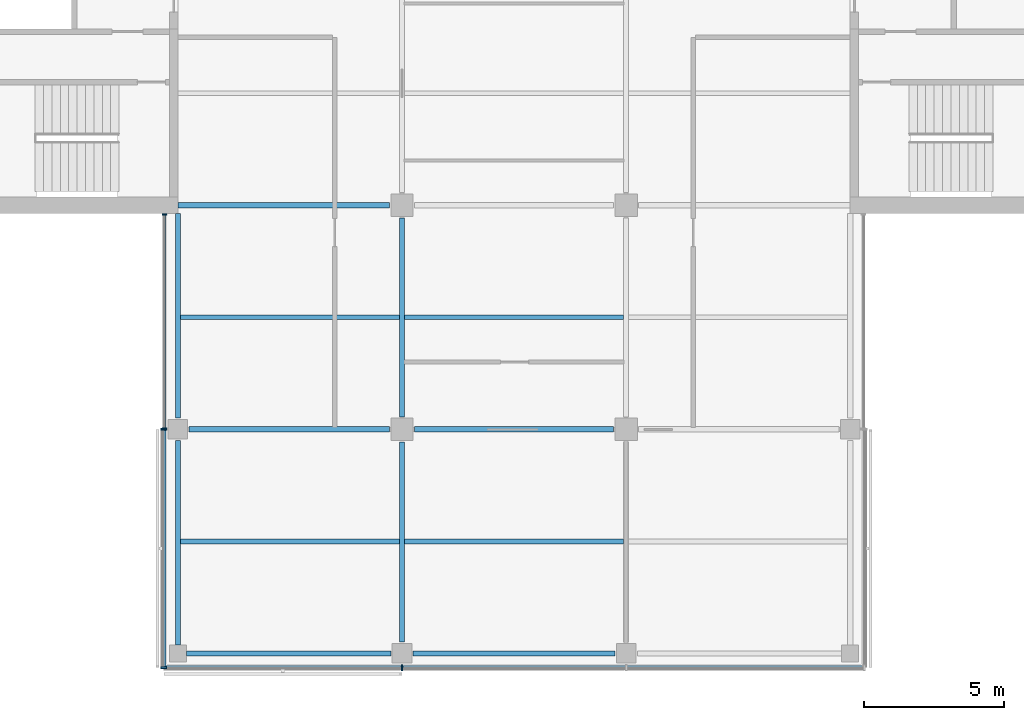
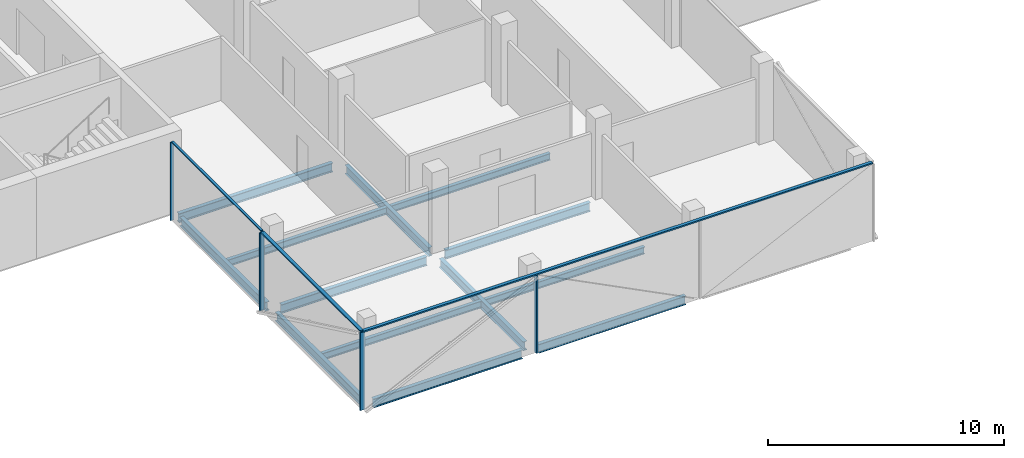
# One storey, part 2 of 15: 13 beams, 8 members, 3 elements without a shape of their own.
"""IFC4 building model written with IfcOpenShell, lengths in metres."""

import ifcopenshell
import ifcopenshell.guid

model = None  # the IFC model being written
_history = None  # IfcOwnerHistory: only IFC2X3 demands one
_inside = {}  # id of a spatial element -> (the spatial element, [elements in it])
_under = {}  # id of a project, library or spatial element -> (it, [spatial elements below it])
_declared = {}  # id of a project -> (the project, [libraries it declares])
_typed = {}  # id of a type object -> (the type object, [elements of that type])
_made_of = {}  # id of a material, layer set ... -> (it, [elements and type objects made of it])


def new_model(schema):
    """Start an empty IFC model of exactly this schema.

    Asked for "IFC4X3", IfcOpenShell would pick the latest addendum, in which some entities
    have other attributes; the version numbers below select the first issue.
    IFC2X3 requires an IfcOwnerHistory on every rooted entity: one is made here for all.
    """
    global model, _history
    if schema == "IFC4X3":
        model = ifcopenshell.file(schema_version=(4, 3, 0, 0))
    else:
        model = ifcopenshell.file(schema=schema)
    _inside.clear()
    _under.clear()
    _declared.clear()
    _typed.clear()
    _made_of.clear()
    _history = None
    if model.schema == "IFC2X3":
        org = make("IfcOrganization", Name="unknown")
        user = make(
            "IfcPersonAndOrganization",
            ThePerson=make("IfcPerson", FamilyName="unknown"),
            TheOrganization=org,
        )
        app = make(
            "IfcApplication",
            ApplicationDeveloper=org,
            Version="unknown",
            ApplicationFullName="unknown",
            ApplicationIdentifier="unknown",
        )
        _history = make(
            "IfcOwnerHistory",
            OwningUser=user,
            OwningApplication=app,
            ChangeAction="ADDED",
            CreationDate=0,
        )
    return model


def make(cls, **values):
    """One entity of the class cls with the attributes given. An attribute that is None is left unset."""
    return model.create_entity(
        cls, **{name: value for name, value in values.items() if value is not None}
    )


def rooted(cls, **values):
    """An entity with a GlobalId (a new one), such as an element, a storey or a relation."""
    return make(cls, GlobalId=ifcopenshell.guid.new(), OwnerHistory=_history, **values)


def si_unit(unit_type, name, prefix=None):
    """IfcSIUnit, for example si_unit("LENGTHUNIT", "METRE", prefix="MILLI")."""
    return make("IfcSIUnit", UnitType=unit_type, Prefix=prefix, Name=name)


def assignment(units):
    """IfcUnitAssignment: the units of a project."""
    return None if units is None else make("IfcUnitAssignment", Units=units)


def point(xyz):
    """IfcCartesianPoint."""
    return None if xyz is None else make("IfcCartesianPoint", Coordinates=xyz)


def direction(xyz):
    """IfcDirection."""
    return None if xyz is None else make("IfcDirection", DirectionRatios=xyz)


def frame(location, z_axis=None, x_axis=None):
    """IfcAxis2Placement3D, a coordinate frame: its origin and axes. An axis left out is left unset."""
    return make(
        "IfcAxis2Placement3D",
        Location=point(location),
        Axis=direction(z_axis),
        RefDirection=direction(x_axis),
    )


def frame_2d(location, x_axis=None):
    """IfcAxis2Placement2D, a coordinate frame in the plane: its origin and x axis."""
    return make(
        "IfcAxis2Placement2D", Location=point(location), RefDirection=direction(x_axis)
    )


def origin():
    """The frame at (0, 0, 0) with its axes left unset."""
    return frame((0.0, 0.0, 0.0))


def origin_2d():
    """The frame at (0, 0) in the plane with its x axis left unset."""
    return frame_2d((0.0, 0.0))


def place(relative_to, where):
    """IfcLocalPlacement: puts the frame where relative to a parent placement (None: the world)."""
    return make(
        "IfcLocalPlacement", PlacementRelTo=relative_to, RelativePlacement=where
    )


def context(
    kind, dimensions, precision=None, world=None, true_north=None, identifier=None
):
    """IfcGeometricRepresentationContext, for example the 3D "Model" context."""
    return make(
        "IfcGeometricRepresentationContext",
        ContextIdentifier=identifier,
        ContextType=kind,
        CoordinateSpaceDimension=dimensions,
        Precision=precision,
        WorldCoordinateSystem=world,
        TrueNorth=true_north,
    )


def subcontext(parent, identifier, kind, view, scale=None):
    """IfcGeometricRepresentationSubContext, for example "Body" below "Model"."""
    return make(
        "IfcGeometricRepresentationSubContext",
        ContextIdentifier=identifier,
        ContextType=kind,
        ParentContext=parent,
        TargetScale=scale,
        TargetView=view,
    )


def project(units=None, contexts=None):
    """IfcProject with its units and contexts."""
    return rooted(
        "IfcProject",
        Name="project",
        RepresentationContexts=contexts,
        UnitsInContext=assignment(units),
    )


def spatial(cls, under=None, at=None, **own):
    """A site, building, storey or space (cls), placed at a placement, below another one or the project."""
    s = rooted(cls, ObjectPlacement=at, **own)
    if under is not None:
        _under.setdefault(under.id(), (under, []))[1].append(s)
    return s


def profile(cls, at=None, kind="AREA", **sizes):
    """A parametric profile (cls). Its sizes go by their IFC names, for example OverallWidth=200.0."""
    return make(cls, ProfileType=kind, Position=at, **sizes)


def rectangle(**sizes):
    """IfcRectangleProfileDef."""
    return profile("IfcRectangleProfileDef", **sizes)


def i_section(**sizes):
    """IfcIShapeProfileDef."""
    return profile("IfcIShapeProfileDef", **sizes)


def extrude(swept, where, along, depth):
    """IfcExtrudedAreaSolid: the profile swept, set in the frame where, extruded along a direction by depth."""
    return make(
        "IfcExtrudedAreaSolid",
        SweptArea=swept,
        Position=where,
        ExtrudedDirection=direction(along),
        Depth=depth,
    )


def shape(context_of_items, identifier, shape_type, items):
    """IfcShapeRepresentation: the items that make up one representation, for example the "Body"."""
    return make(
        "IfcShapeRepresentation",
        ContextOfItems=context_of_items,
        RepresentationIdentifier=identifier,
        RepresentationType=shape_type,
        Items=items,
    )


def material(Name=None, Category=None):
    """IfcMaterial."""
    return make("IfcMaterial", Name=Name, Category=Category)


def material_profile(
    of_material, cross_section, Name=None, Category=None, Priority=None
):
    """IfcMaterialProfile: a cross section and its material."""
    return make(
        "IfcMaterialProfile",
        Name=Name,
        Material=of_material,
        Profile=cross_section,
        Priority=Priority,
        Category=Category,
    )


def profile_set(profiles, Name=None, composite=None):
    """IfcMaterialProfileSet."""
    return make(
        "IfcMaterialProfileSet",
        Name=Name,
        MaterialProfiles=profiles,
        CompositeProfile=composite,
    )


def made_of(thing, what):
    """Note that an element or type object is made of a material, layer set ...; save() writes the relation."""
    if what is not None:
        _made_of.setdefault(what.id(), (what, []))[1].append(thing)
    return thing


def type_object(cls, material=None, **own):
    """A type object (cls), such as IfcWallType, which elements share."""
    return made_of(rooted(cls, **own), material)


def element(
    cls,
    number,
    at=None,
    inside=None,
    cuts=None,
    type_object=None,
    material=None,
    context=None,
    identifier="Body",
    shape_type=None,
    held_by="IfcProductDefinitionShape",
    body=None,
    shapes=None,
    **own,
):
    """One element of the class cls, such as IfcWall. Its Tag is "e" and its number.

    at: its placement. inside: the storey or other place that contains it. cuts: it is an
    opening in that element (IfcRelVoidsElement). A single representation is given by context,
    identifier, shape_type and body (its items); several are given by shapes. held_by: the class
    of the entity that holds the representations. save() writes the other relations.
    """
    e = rooted(cls, Tag="e%d" % number, ObjectPlacement=at, **own)
    if body is not None:
        shapes = [shape(context, identifier, shape_type, body)]
    if shapes is not None:
        e.Representation = make(held_by, Representations=shapes)
    if inside is not None:
        _inside.setdefault(inside.id(), (inside, []))[1].append(e)
    if cuts is not None:
        rooted(
            "IfcRelVoidsElement", RelatingBuildingElement=cuts, RelatedOpeningElement=e
        )
    if type_object is not None:
        _typed.setdefault(type_object.id(), (type_object, []))[1].append(e)
    return made_of(e, material)


def aggregate(whole, parts):
    """IfcRelAggregates: a whole, such as a stair, and the parts it consists of."""
    return rooted("IfcRelAggregates", RelatingObject=whole, RelatedObjects=parts)


def save(model, path):
    """Write the relations noted so far, then the file.

    IfcRelAggregates (storeys below a building ...), IfcRelContainedInSpatialStructure (elements
    in a storey), IfcRelDefinesByType, IfcRelAssociatesMaterial and IfcRelDeclares: one each for
    every whole, place, type object, material and project.
    """
    for whole, parts in _under.values():
        aggregate(whole, parts)
    for where, things in _inside.values():
        rooted(
            "IfcRelContainedInSpatialStructure",
            RelatedElements=things,
            RelatingStructure=where,
        )
    for kind, things in _typed.values():
        rooted("IfcRelDefinesByType", RelatedObjects=things, RelatingType=kind)
    for what, things in _made_of.values():
        rooted("IfcRelAssociatesMaterial", RelatedObjects=things, RelatingMaterial=what)
    for by, libraries in _declared.values():
        rooted("IfcRelDeclares", RelatingContext=by, RelatedDefinitions=libraries)
    model.write(path)


model = new_model("IFC4")

# Units and contexts
model_context = context("Model", 3, precision=1e-05, world=origin(), true_north=direction((0.0, 1.0)))
body_context = subcontext(model_context, "Body", "Model", "MODEL_VIEW")
ifc_project = project(units=[si_unit("LENGTHUNIT", "METRE"), si_unit("AREAUNIT", "SQUARE_METRE"), si_unit("VOLUMEUNIT", "CUBIC_METRE"), si_unit("PLANEANGLEUNIT", "RADIAN"), si_unit("MASSUNIT", "GRAM", prefix="KILO")], contexts=[model_context])

# Site, building, storey
site_placement = place(None, origin())
site = spatial("IfcSite", under=ifc_project, at=site_placement, CompositionType="ELEMENT")
building_placement = place(site_placement, origin())
building = spatial("IfcBuilding", under=site, at=building_placement, Name="Crosswind Convention Tower", CompositionType="ELEMENT")
storey_placement = place(building_placement, frame((0.0, 0.0, 233.5)))
storey = spatial("IfcBuildingStorey", under=building, at=storey_placement, Name="L50", CompositionType="ELEMENT", Elevation=233.5)

# Beams
ifc_material_1 = material(Name="Steel S355", Category="steel")
ifc_material_profile_1 = material_profile(ifc_material_1, i_section(OverallWidth=0.18994140625, OverallDepth=0.45361328125, WebThickness=0.008544921875, FlangeThickness=0.0126953125, FilletRadius=0.01025390625, at=origin_2d()), Name="UB 457x191x67")
ifc_profile_set_1 = profile_set([ifc_material_profile_1], Name="Steel S355")
beam_type_1 = type_object("IfcBeamType", Name="Edge beam UB 457x191x67", PredefinedType="SPANDREL", material=ifc_profile_set_1)
for number, where, z_axis, x_axis, name in (
    (1, (113.0, 72.300048828125, -0.52685546875), (0.0, 1.0, 0.0), (-1.0, 0.0, 0.0), "B16 L50 edge beam 1"),
    (2, (113.0, 80.39990234375, -0.52685546875), (0.0, 1.0, 0.0), (-1.0, 0.0, 0.0), "B16 L50 edge beam 2"),
    (3, (113.300048828125, 72.0, -0.52685546875), (1.0, 0.0, 0.0), (0.0, 1.0, 0.0), "B16 L50 edge beam 5"),
):
    element("IfcBeam", number, at=place(storey_placement, frame(where, z_axis=z_axis, x_axis=x_axis)), inside=storey, type_object=beam_type_1, Name=name, PredefinedType="SPANDREL", context=body_context, shape_type="SweptSolid", body=[
        extrude(i_section(OverallWidth=0.18994140625, OverallDepth=0.45361328125, WebThickness=0.008544921875, FlangeThickness=0.0126953125, FilletRadius=0.01025390625, at=origin_2d()), origin(), (0.0, 0.0, 1.0), 7.300048828125),
    ])
beam_1_placement = place(storey_placement, frame((121.39990234375, 72.0, -0.52685546875), z_axis=(1.0, 0.0, 0.0), x_axis=(0.0, 1.0, 0.0)))
element("IfcBeam", 4, at=beam_1_placement, inside=storey, type_object=beam_type_1, Name="B16 L50 edge beam 7", PredefinedType="SPANDREL", context=body_context, shape_type="SweptSolid", body=[
    extrude(i_section(OverallWidth=0.18994140625, OverallDepth=0.45361328125, WebThickness=0.008544921875, FlangeThickness=0.0126953125, FilletRadius=0.01025390625, at=origin_2d()), origin(), (0.0, 0.0, 1.0), 7.2001953125),
])
ifc_material_profile_2 = material_profile(ifc_material_1, i_section(OverallWidth=0.1904296875, OverallDepth=0.457275390625, WebThickness=0.009033203125, FlangeThickness=0.014404296875, FilletRadius=0.01025390625, at=origin_2d()), Name="UB 457x191x75")
ifc_profile_set_2 = profile_set([ifc_material_profile_2], Name="Steel S355")
beam_type_2 = type_object("IfcBeamType", Name="Girder UB 457x191x75", PredefinedType="BEAM", material=ifc_profile_set_2)
for number, where, z_axis, x_axis, name in (
    (5, (113.39990234375, 80.0, -0.528564453125), (1.0, 0.0, 0.0), (0.0, 1.0, 0.0), "B2 L50 girder 1"),
    (6, (121.0, 72.39990234375, -0.528564453125), (0.0, 1.0, 0.0), (-1.0, 0.0, 0.0), "B2 L50 girder 3"),
):
    element("IfcBeam", number, at=place(storey_placement, frame(where, z_axis=z_axis, x_axis=x_axis)), inside=storey, type_object=beam_type_2, Name=name, PredefinedType="BEAM", context=body_context, shape_type="SweptSolid", body=[
        extrude(i_section(OverallWidth=0.1904296875, OverallDepth=0.457275390625, WebThickness=0.009033203125, FlangeThickness=0.014404296875, FilletRadius=0.01025390625, at=origin_2d()), origin(), (0.0, 0.0, 1.0), 7.150146484375),
    ])
for number, where, z_axis, x_axis, name in (
    (7, (121.0, 80.449951171875, -0.528564453125), (0.0, 1.0, 0.0), (-1.0, 0.0, 0.0), "B2 L50 girder 4"),
    (8, (121.449951171875, 80.0, -0.528564453125), (1.0, 0.0, 0.0), (0.0, 1.0, 0.0), "B2 L50 girder 10"),
):
    element("IfcBeam", number, at=place(storey_placement, frame(where, z_axis=z_axis, x_axis=x_axis)), inside=storey, type_object=beam_type_2, Name=name, PredefinedType="BEAM", context=body_context, shape_type="SweptSolid", body=[
        extrude(i_section(OverallWidth=0.1904296875, OverallDepth=0.457275390625, WebThickness=0.009033203125, FlangeThickness=0.014404296875, FilletRadius=0.01025390625, at=origin_2d()), origin(), (0.0, 0.0, 1.0), 7.10009765625),
    ])
ifc_material_profile_3 = material_profile(ifc_material_1, i_section(OverallWidth=0.19140625, OverallDepth=0.460205078125, WebThickness=0.010009765625, FlangeThickness=0.01611328125, FilletRadius=0.01025390625, at=origin_2d()), Name="UB 457x191x82")
ifc_profile_set_3 = profile_set([ifc_material_profile_3], Name="Steel S355")
beam_type_3 = type_object("IfcBeamType", Name="Girder at core wall UB 457x191x82", PredefinedType="BEAM", material=ifc_profile_set_3)
beam_2_placement = place(storey_placement, frame((113.0, 88.0, -0.530029296875), z_axis=(1.0, 0.0, 0.0), x_axis=(0.0, 1.0, 0.0)))
element("IfcBeam", 9, at=beam_2_placement, inside=storey, type_object=beam_type_3, Name="B23 L50 girder at core wall 1", PredefinedType="BEAM", context=body_context, shape_type="SweptSolid", body=[
    extrude(i_section(OverallWidth=0.19140625, OverallDepth=0.460205078125, WebThickness=0.010009765625, FlangeThickness=0.01611328125, FilletRadius=0.01025390625, at=origin_2d()), origin(), (0.0, 0.0, 1.0), 7.550048828125),
])

# Curtain wall, members
ifc_material_2 = material(Name="Aluminium unitised curtain wall", Category="aluminium")
curtain_wall_type_1 = type_object("IfcCurtainWallType", Name="CORE END SLOT WALL 160", PredefinedType="USERDEFINED", material=ifc_material_2)
curtain_wall_1_placement = place(storey_placement, origin())
curtain_wall_1 = element("IfcCurtainWall", 10, at=curtain_wall_1_placement, inside=storey, type_object=curtain_wall_type_1, Name="CW6 L50 S-W.1-1 slot", ObjectType="UNITISED", PredefinedType="USERDEFINED")
ifc_material_3 = material(Name="Aluminium mullion", Category="aluminium")
ifc_material_profile_4 = material_profile(ifc_material_3, rectangle(XDim=0.159912109375, YDim=0.050048828125, at=origin_2d()), Name="AL 160X50")
ifc_profile_set_4 = profile_set([ifc_material_profile_4], Name="Aluminium mullion")
member_type_1 = type_object("IfcMemberType", Name="MULLION 50X160", PredefinedType="MULLION", material=ifc_profile_set_4)
member_1_placement = place(storey_placement, frame((112.52001953125, 87.675048828125, -0.300048828125), z_axis=(0.0, 0.0, 1.0), x_axis=(-1.0, 0.0, 0.0)))
member_1 = element("IfcMember", 11, at=member_1_placement, type_object=member_type_1, Name="CW6 mullion 1", PredefinedType="MULLION", context=body_context, shape_type="SweptSolid", body=[
    extrude(rectangle(XDim=0.159912109375, YDim=0.050048828125, at=origin_2d()), origin(), (0.0, 0.0, 1.0), 4.050048828125),
])
member_2_placement = place(storey_placement, frame((112.52001953125, 80.02490234375, -0.300048828125), z_axis=(0.0, 0.0, 1.0), x_axis=(-1.0, 0.0, 0.0)))
member_2 = element("IfcMember", 12, at=member_2_placement, type_object=member_type_1, Name="CW6 mullion 2", PredefinedType="MULLION", context=body_context, shape_type="SweptSolid", body=[
    extrude(rectangle(XDim=0.159912109375, YDim=0.050048828125, at=origin_2d()), origin(), (0.0, 0.0, 1.0), 4.050048828125),
])

curtain_wall_type_2 = type_object("IfcCurtainWallType", Name="OFFICE UNITISED WALL 220", PredefinedType="USERDEFINED", material=ifc_material_2)
curtain_wall_2_placement = place(storey_placement, origin())
curtain_wall_2 = element("IfcCurtainWall", 13, at=curtain_wall_2_placement, inside=storey, type_object=curtain_wall_type_2, Name="CW3 L50 S-W 1", ObjectType="UNITISED", PredefinedType="USERDEFINED")
ifc_material_profile_5 = material_profile(ifc_material_3, rectangle(XDim=0.219970703125, YDim=0.070068359375, at=origin_2d()), Name="AL 220X70")
ifc_profile_set_5 = profile_set([ifc_material_profile_5], Name="Aluminium mullion")
member_type_2 = type_object("IfcMemberType", Name="MULLION 70X220", PredefinedType="MULLION", material=ifc_profile_set_5)
member_3_placement = place(storey_placement, frame((112.489990234375, 80.0, -0.300048828125), z_axis=(0.0, 0.0, 1.0), x_axis=(-1.0, 0.0, 0.0)))
member_3 = element("IfcMember", 14, at=member_3_placement, type_object=member_type_2, Name="CW3 mullion 1", PredefinedType="MULLION", context=body_context, shape_type="SweptSolid", body=[
    extrude(rectangle(XDim=0.219970703125, YDim=0.070068359375, at=origin_2d()), origin(), (0.0, 0.0, 1.0), 4.030029296875),
])
member_4_placement = place(storey_placement, frame((112.489990234375, 71.489990234375, -0.300048828125), z_axis=(0.0, 0.0, 1.0), x_axis=(-1.0, 0.0, 0.0)))
member_4 = element("IfcMember", 15, at=member_4_placement, type_object=member_type_2, Name="CW3 mullion 2", PredefinedType="MULLION", context=body_context, shape_type="SweptSolid", body=[
    extrude(rectangle(XDim=0.219970703125, YDim=0.070068359375, at=origin_2d()), origin(), (0.0, 0.0, 1.0), 4.030029296875),
])

# Curtain wall, member
curtain_wall_3_placement = place(storey_placement, origin())
curtain_wall_3 = element("IfcCurtainWall", 16, at=curtain_wall_3_placement, inside=storey, type_object=curtain_wall_type_2, Name="CW3 L50 S-TIP 1", ObjectType="UNITISED", PredefinedType="USERDEFINED")
member_5_placement = place(storey_placement, frame((121.0, 71.489990234375, -0.300048828125), z_axis=(0.0, 0.0, 1.0), x_axis=(0.0, -1.0, 0.0)))
member_5 = element("IfcMember", 17, at=member_5_placement, type_object=member_type_2, Name="CW3 mullion 2", PredefinedType="MULLION", context=body_context, shape_type="SweptSolid", body=[
    extrude(rectangle(XDim=0.219970703125, YDim=0.070068359375, at=origin_2d()), origin(), (0.0, 0.0, 1.0), 4.030029296875),
])

# Beams
ifc_material_profile_6 = material_profile(ifc_material_1, i_section(OverallWidth=0.172119140625, OverallDepth=0.358642578125, WebThickness=0.008056640625, FlangeThickness=0.012939453125, FilletRadius=0.01025390625, at=origin_2d()), Name="UB 356x171x57")
ifc_profile_set_6 = profile_set([ifc_material_profile_6], Name="Steel S355")
beam_type_4 = type_object("IfcBeamType", Name="Secondary beam UB 356x171x57", PredefinedType="JOIST", material=ifc_profile_set_6)
for number, where, z_axis, x_axis, name in (
    (18, (113.094970703125, 76.0, -0.479248046875), (1.0, 0.0, 0.0), (0.0, 1.0, 0.0), "B9 L50 secondary beam 4"),
    (19, (113.094970703125, 84.0, -0.479248046875), (1.0, 0.0, 0.0), (0.0, 1.0, 0.0), "B9 L50 secondary beam 5"),
):
    element("IfcBeam", number, at=place(storey_placement, frame(where, z_axis=z_axis, x_axis=x_axis)), inside=storey, type_object=beam_type_4, Name=name, PredefinedType="JOIST", context=body_context, shape_type="SweptSolid", body=[
        extrude(i_section(OverallWidth=0.172119140625, OverallDepth=0.358642578125, WebThickness=0.008056640625, FlangeThickness=0.012939453125, FilletRadius=0.01025390625, at=origin_2d()), origin(), (0.0, 0.0, 1.0), 7.809814453125),
    ])
for number, where, z_axis, x_axis, name in (
    (20, (121.09521484375, 76.0, -0.479248046875), (1.0, 0.0, 0.0), (0.0, 1.0, 0.0), "B9 L50 secondary beam 8"),
    (21, (121.09521484375, 84.0, -0.479248046875), (1.0, 0.0, 0.0), (0.0, 1.0, 0.0), "B9 L50 secondary beam 9"),
):
    element("IfcBeam", number, at=place(storey_placement, frame(where, z_axis=z_axis, x_axis=x_axis)), inside=storey, type_object=beam_type_4, Name=name, PredefinedType="JOIST", context=body_context, shape_type="SweptSolid", body=[
        extrude(i_section(OverallWidth=0.172119140625, OverallDepth=0.358642578125, WebThickness=0.008056640625, FlangeThickness=0.012939453125, FilletRadius=0.01025390625, at=origin_2d()), origin(), (0.0, 0.0, 1.0), 7.8095703125),
    ])

# Member
ifc_material_4 = material(Name="Aluminium transom", Category="aluminium")
ifc_material_profile_7 = material_profile(ifc_material_4, rectangle(XDim=0.1201171875, YDim=0.050048828125, at=origin_2d()), Name="AL 120X50")
ifc_profile_set_7 = profile_set([ifc_material_profile_7], Name="Aluminium transom")
member_type_3 = type_object("IfcMemberType", Name="TRANSOM 50X120", PredefinedType="USERDEFINED", material=ifc_profile_set_7)
member_6_placement = place(storey_placement, frame((112.52001953125, 87.64990234375, 3.77490234375), z_axis=(0.0, -1.0, 0.0), x_axis=(1.0, 0.0, 0.0)))
member_6 = element("IfcMember", 22, at=member_6_placement, type_object=member_type_3, Name="CW6 transom", ObjectType="TRANSOM", PredefinedType="USERDEFINED", context=body_context, shape_type="SweptSolid", body=[
    extrude(rectangle(XDim=0.1201171875, YDim=0.050048828125, at=origin_2d()), origin(), (0.0, 0.0, 1.0), 7.599853515625),
])

aggregate(curtain_wall_1, [member_1, member_2, member_6])

ifc_material_profile_8 = material_profile(ifc_material_4, rectangle(XDim=0.159912109375, YDim=0.070068359375, at=origin_2d()), Name="AL 160X70")
ifc_profile_set_8 = profile_set([ifc_material_profile_8], Name="Aluminium transom")
member_type_4 = type_object("IfcMemberType", Name="TRANSOM 70X160", PredefinedType="USERDEFINED", material=ifc_profile_set_8)
member_7_placement = place(storey_placement, frame((112.489990234375, 79.965087890625, 3.764892578125), z_axis=(0.0, -1.0, 0.0), x_axis=(1.0, 0.0, 0.0)))
member_7 = element("IfcMember", 23, at=member_7_placement, type_object=member_type_4, Name="CW3 transom", ObjectType="TRANSOM", PredefinedType="USERDEFINED", context=body_context, shape_type="SweptSolid", body=[
    extrude(rectangle(XDim=0.159912109375, YDim=0.070068359375, at=origin_2d()), origin(), (0.0, 0.0, 1.0), 8.440185546875),
])

aggregate(curtain_wall_2, [member_3, member_4, member_7])

member_8_placement = place(storey_placement, frame((112.52490234375, 71.489990234375, 3.764892578125), z_axis=(1.0, 0.0, 0.0), x_axis=(0.0, 1.0, 0.0)))
member_8 = element("IfcMember", 24, at=member_8_placement, type_object=member_type_4, Name="CW3 transom", ObjectType="TRANSOM", PredefinedType="USERDEFINED", context=body_context, shape_type="SweptSolid", body=[
    extrude(rectangle(XDim=0.159912109375, YDim=0.070068359375, at=origin_2d()), origin(), (0.0, 0.0, 1.0), 24.9501953125),
])

aggregate(curtain_wall_3, [member_5, member_8])

save(model, "model.ifc")
